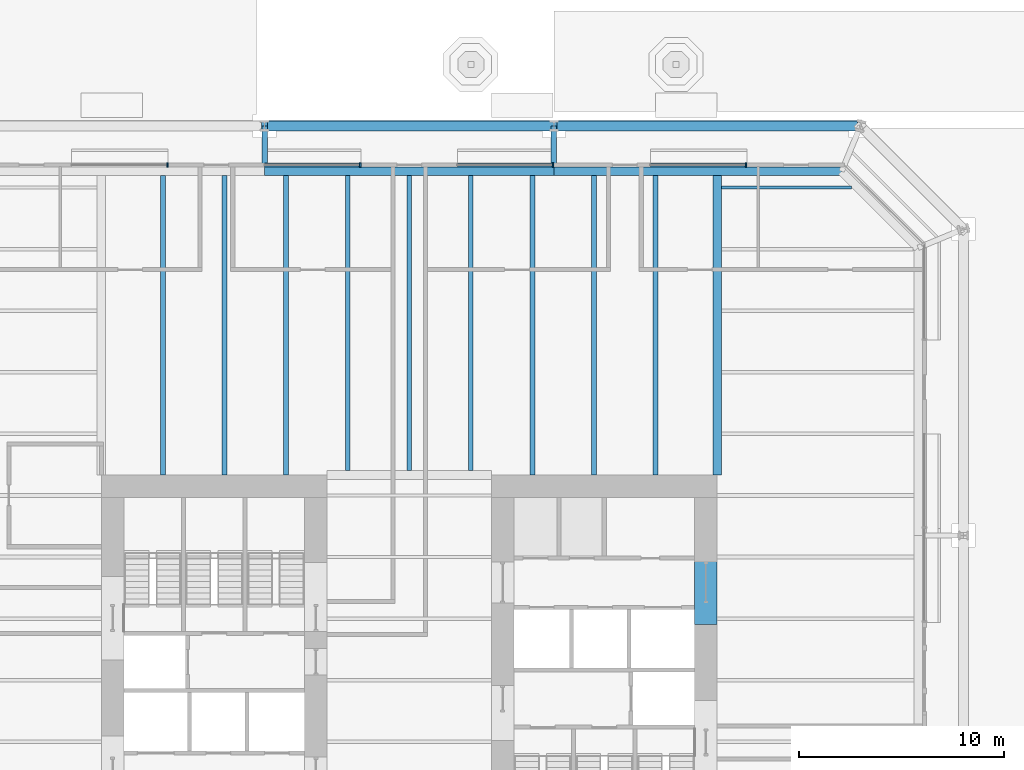
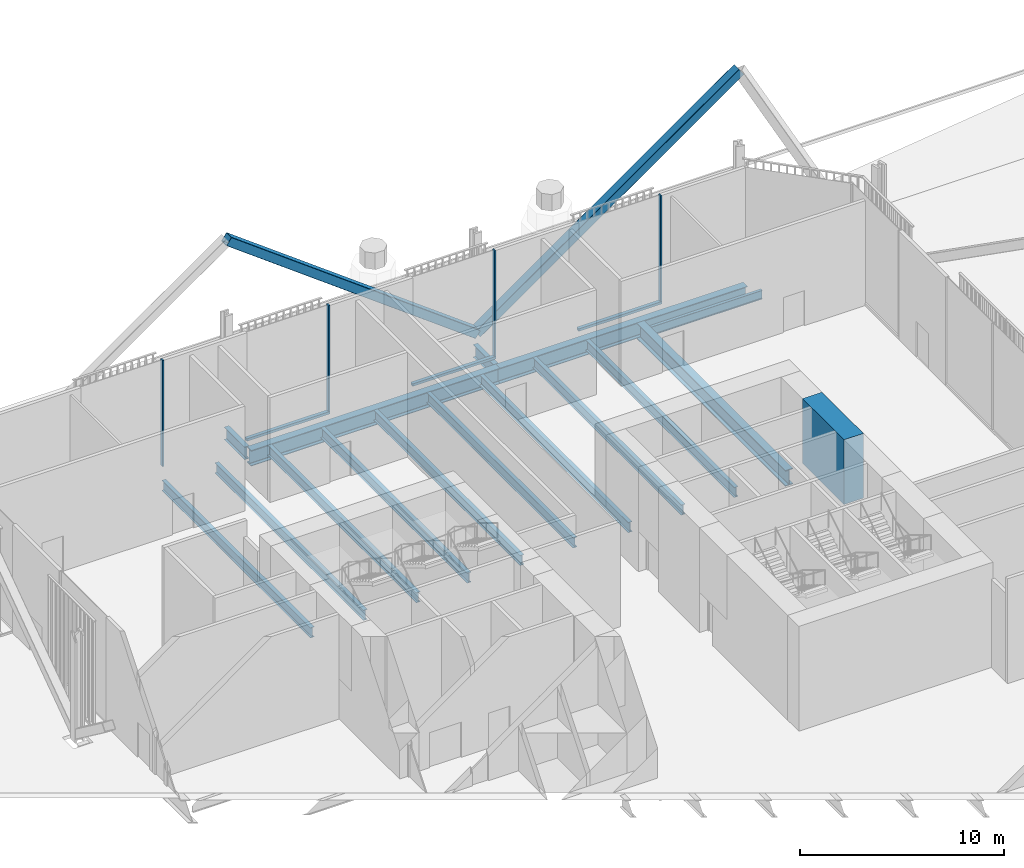
# One storey, part 10 of 28: 16 beams, 9 members, 1 element without a shape of its own.
"""IFC4 building model written with IfcOpenShell, lengths in metres."""

from ifc_helpers import new_model, si_unit, direction, frame, origin, origin_2d, place, context, subcontext, project, spatial, rectangle, hollow_rectangle, i_section, extrude, material, layer, layer_set, material_profile, profile_set, type_object, element, aggregate, save


model = new_model("IFC4")

# Units and contexts
model_context = context("Model", 3, precision=1e-05, world=origin(), true_north=direction((0.0, 1.0)))
body_context = subcontext(model_context, "Body", "Model", "MODEL_VIEW")
ifc_project = project(units=[si_unit("LENGTHUNIT", "METRE"), si_unit("AREAUNIT", "SQUARE_METRE"), si_unit("VOLUMEUNIT", "CUBIC_METRE"), si_unit("PLANEANGLEUNIT", "RADIAN"), si_unit("MASSUNIT", "GRAM", prefix="KILO")], contexts=[model_context])

# Site, building, storey
site_placement = place(None, origin())
site = spatial("IfcSite", under=ifc_project, at=site_placement, CompositionType="ELEMENT")
building_placement = place(site_placement, origin())
building = spatial("IfcBuilding", under=site, at=building_placement, Name="Millrace Tower", CompositionType="ELEMENT")
storey_placement = place(building_placement, origin())
storey = spatial("IfcBuildingStorey", under=building, at=storey_placement, Name="L01", CompositionType="ELEMENT", Elevation=0.0)

# Curtain wall, members
ifc_material_1 = material(Name="Aluminium and glass", Category="aluminium")
ifc_layer = layer(ifc_material_1, 0.199951171875)
ifc_layer_set = layer_set([ifc_layer], Name="Aluminium and glass")
curtain_wall_type = type_object("IfcCurtainWallType", Name="CW-6 lobby and cascade wing storefront", PredefinedType="NOTDEFINED", material=ifc_layer_set)
curtain_wall_placement = place(storey_placement, origin())
curtain_wall = element("IfcCurtainWall", 1, at=curtain_wall_placement, inside=storey, type_object=curtain_wall_type, Name="Curtain wall AW1-F04 L01", PredefinedType="NOTDEFINED")
ifc_material_2 = material(Name="Aluminium", Category="aluminium")
ifc_material_profile_1 = material_profile(ifc_material_2, rectangle(XDim=0.074951171875, YDim=0.199951171875, at=origin_2d()))
ifc_profile_set_1 = profile_set([ifc_material_profile_1], Name="Aluminium")
member_type_1 = type_object("IfcMemberType", Name="CW-6 lobby and cascade wing storefront mullion", PredefinedType="MULLION", material=ifc_profile_set_1)
member_1_placement = place(storey_placement, frame((16.41259765625, 25.10009765625, 0.14990234375), z_axis=(0.0, 0.0, 1.0), x_axis=(-1.0, 0.0, 0.0)))
member_1 = element("IfcMember", 2, at=member_1_placement, type_object=member_type_1, Name="CW6 mullion AW1-F04.2", PredefinedType="MULLION", context=body_context, shape_type="SweptSolid", body=[
    extrude(rectangle(XDim=0.074951171875, YDim=0.199951171875, at=origin_2d()), origin(), (0.0, 0.0, 1.0), 6.35009765625),
])
member_2_placement = place(storey_placement, frame((7.012451171875, 25.10009765625, 0.14990234375), z_axis=(0.0, 0.0, 1.0), x_axis=(-1.0, 0.0, 0.0)))
member_2 = element("IfcMember", 3, at=member_2_placement, type_object=member_type_1, Name="CW6 mullion AW1-F04.4", PredefinedType="MULLION", context=body_context, shape_type="SweptSolid", body=[
    extrude(rectangle(XDim=0.074951171875, YDim=0.199951171875, at=origin_2d()), origin(), (0.0, 0.0, 1.0), 6.35009765625),
])
member_3_placement = place(storey_placement, frame((-2.387451171875, 25.10009765625, 0.14990234375), z_axis=(0.0, 0.0, 1.0), x_axis=(-1.0, 0.0, 0.0)))
member_3 = element("IfcMember", 4, at=member_3_placement, type_object=member_type_1, Name="CW6 mullion AW1-F04.6", PredefinedType="MULLION", context=body_context, shape_type="SweptSolid", body=[
    extrude(rectangle(XDim=0.074951171875, YDim=0.199951171875, at=origin_2d()), origin(), (0.0, 0.0, 1.0), 6.35009765625),
])
member_4_placement = place(storey_placement, frame((-11.78759765625, 25.10009765625, 0.14990234375), z_axis=(0.0, 0.0, 1.0), x_axis=(-1.0, 0.0, 0.0)))
member_4 = element("IfcMember", 5, at=member_4_placement, type_object=member_type_1, Name="CW6 mullion AW1-F04.8", PredefinedType="MULLION", context=body_context, shape_type="SweptSolid", body=[
    extrude(rectangle(XDim=0.074951171875, YDim=0.199951171875, at=origin_2d()), origin(), (0.0, 0.0, 1.0), 6.35009765625),
])
ifc_material_3 = material(Name="Aluminium", Category="aluminium")
ifc_material_profile_2 = material_profile(ifc_material_3, rectangle(XDim=0.199951171875, YDim=0.14990234375, at=origin_2d()))
ifc_profile_set_2 = profile_set([ifc_material_profile_2], Name="Aluminium")
member_type_2 = type_object("IfcMemberType", Name="CW-6 lobby and cascade wing storefront transom", PredefinedType="USERDEFINED", material=ifc_profile_set_2)
member_5_placement = place(storey_placement, frame((16.449951171875, 25.10009765625, 0.074951171875), z_axis=(-1.0, 0.0, 0.0), x_axis=(0.0, -1.0, 0.0)))
member_5 = element("IfcMember", 6, at=member_5_placement, type_object=member_type_2, Name="CW6 transom AW1-F04.1", ObjectType="TRANSOM", PredefinedType="USERDEFINED", context=body_context, shape_type="SweptSolid", body=[
    extrude(rectangle(XDim=0.199951171875, YDim=0.14990234375, at=origin_2d()), origin(), (0.0, 0.0, 1.0), 4.699951171875),
])
member_6_placement = place(storey_placement, frame((7.050048828125, 25.10009765625, 0.074951171875), z_axis=(-1.0, 0.0, 0.0), x_axis=(0.0, -1.0, 0.0)))
member_6 = element("IfcMember", 7, at=member_6_placement, type_object=member_type_2, Name="CW6 transom AW1-F04.2", ObjectType="TRANSOM", PredefinedType="USERDEFINED", context=body_context, shape_type="SweptSolid", body=[
    extrude(rectangle(XDim=0.199951171875, YDim=0.14990234375, at=origin_2d()), origin(), (0.0, 0.0, 1.0), 4.699951171875),
])
member_7_placement = place(storey_placement, frame((-2.35009765625, 25.10009765625, 0.074951171875), z_axis=(-1.0, 0.0, 0.0), x_axis=(0.0, -1.0, 0.0)))
member_7 = element("IfcMember", 8, at=member_7_placement, type_object=member_type_2, Name="CW6 transom AW1-F04.3", ObjectType="TRANSOM", PredefinedType="USERDEFINED", context=body_context, shape_type="SweptSolid", body=[
    extrude(rectangle(XDim=0.199951171875, YDim=0.14990234375, at=origin_2d()), origin(), (0.0, 0.0, 1.0), 4.699951171875),
])
aggregate(curtain_wall, [member_1, member_2, member_3, member_4, member_5, member_6, member_7])

# Beam
ifc_material_4 = material(Name="Concrete C80", Category="concrete")
ifc_material_profile_3 = material_profile(ifc_material_4, rectangle(XDim=1.10009765625, YDim=3.875, at=origin_2d()))
ifc_profile_set_3 = profile_set([ifc_material_profile_3], Name="Concrete C80")
beam_type_1 = type_object("IfcBeamType", Name="Coupling beam 1100 x 3875 Concrete C80, 2000 opening", PredefinedType="BEAM", material=ifc_profile_set_3)
beam_1_placement = place(storey_placement, frame((14.449951171875, 6.784423828125, 4.33740234375), z_axis=(0.0, -1.0, 0.0), x_axis=(1.0, 0.0, 0.0)))
element("IfcBeam", 9, at=beam_1_placement, inside=storey, type_object=beam_type_1, Name="Coupling beam E L01", PredefinedType="BEAM", context=body_context, shape_type="SweptSolid", body=[
    extrude(rectangle(XDim=1.10009765625, YDim=3.875, at=origin_2d()), origin(), (0.0, 0.0, 1.0), 4.06884765625),
])

# Members
ifc_material_5 = material(Name="Steel ASTM A500 Grade C", Category="steel")
ifc_material_profile_4 = material_profile(ifc_material_5, hollow_rectangle(XDim=0.508056640625, YDim=0.508056640625, WallThickness=0.022216796875, InnerFilletRadius=0.01123046875, OuterFilletRadius=0.033447265625, at=origin_2d()))
ifc_profile_set_4 = profile_set([ifc_material_profile_4], Name="Steel ASTM A500 Grade C")
member_type_3 = type_object("IfcMemberType", Name="Exoskeleton brace HSS20x20x7/8", PredefinedType="BRACE", material=ifc_profile_set_4)
member_8_placement = place(storey_placement, frame((7.050048828125, 27.0, 0.39990234375), z_axis=(0.817940936421, 0.0, 0.575302202783), x_axis=(0.0, 1.0, 0.0)))
element("IfcMember", 10, at=member_8_placement, inside=storey, type_object=member_type_3, Name="BRC-A-L01-10", PredefinedType="BRACE", context=body_context, shape_type="SweptSolid", body=[
    extrude(hollow_rectangle(XDim=0.508056640625, YDim=0.508056640625, WallThickness=0.022216796875, InnerFilletRadius=0.01123046875, OuterFilletRadius=0.033447265625, at=origin_2d()), origin(), (0.0, 0.0, 1.0), 18.251220703125),
])
member_9_placement = place(storey_placement, frame((7.050048828125, 27.0, 0.39990234375), z_axis=(-0.80204509192, 0.0, 0.597263485011), x_axis=(0.0, -1.0, 0.0)))
element("IfcMember", 11, at=member_9_placement, inside=storey, type_object=member_type_3, Name="BRC-A-L01-11", PredefinedType="BRACE", context=body_context, shape_type="SweptSolid", body=[
    extrude(hollow_rectangle(XDim=0.508056640625, YDim=0.508056640625, WallThickness=0.022216796875, InnerFilletRadius=0.01123046875, OuterFilletRadius=0.033447265625, at=origin_2d()), origin(), (0.0, 0.0, 1.0), 17.580078125),
])

# Beams
ifc_material_6 = material(Name="Steel ASTM A992 Grade 50", Category="steel")
ifc_material_profile_5 = material_profile(ifc_material_6, i_section(OverallWidth=0.1650390625, OverallDepth=0.52587890625, WebThickness=0.0087890625, FlangeThickness=0.011474609375, FilletRadius=0.0126953125, at=origin_2d()))
ifc_profile_set_5 = profile_set([ifc_material_profile_5], Name="Steel ASTM A992 Grade 50")
beam_type_2 = type_object("IfcBeamType", Name="Floor beam W21x44", PredefinedType="JOIST", material=ifc_profile_set_5)
beam_2_placement = place(storey_placement, frame((15.212158203125, 24.0, -0.56298828125), z_axis=(1.0, 0.0, 0.0), x_axis=(0.0, 1.0, 0.0)))
element("IfcBeam", 12, at=beam_2_placement, inside=storey, type_object=beam_type_2, Name="BM-A-L01-S1-S041", PredefinedType="JOIST", context=body_context, shape_type="SweptSolid", body=[
    extrude(i_section(OverallWidth=0.1650390625, OverallDepth=0.52587890625, WebThickness=0.0087890625, FlangeThickness=0.011474609375, FilletRadius=0.0126953125, at=origin_2d()), origin(), (0.0, 0.0, 1.0), 6.321533203125),
])
ifc_material_7 = material(Name="Steel ASTM A992 Grade 50", Category="steel")
ifc_material_profile_6 = material_profile(ifc_material_7, i_section(OverallWidth=0.228271484375, OverallDepth=0.607177734375, WebThickness=0.01123046875, FlangeThickness=0.017333984375, FilletRadius=0.0126953125, at=origin_2d()))
ifc_profile_set_6 = profile_set([ifc_material_profile_6], Name="Steel ASTM A992 Grade 50")
beam_type_3 = type_object("IfcBeamType", Name="Floor beam W24x76", PredefinedType="JOIST", material=ifc_profile_set_6)
for number, where, z_axis, x_axis, name in (
    (13, (-12.0, 10.0, -0.603515625), (0.0, 1.0, 0.0), (-1.0, 0.0, 0.0), "BM-A-L01-S1-S042"),
    (14, (-9.0, 10.0, -0.603515625), (0.0, 1.0, 0.0), (-1.0, 0.0, 0.0), "BM-A-L01-S1-S044"),
    (15, (-6.0, 10.0, -0.603515625), (0.0, 1.0, 0.0), (-1.0, 0.0, 0.0), "BM-A-L01-S1-S046"),
):
    element("IfcBeam", number, at=place(storey_placement, frame(where, z_axis=z_axis, x_axis=x_axis)), inside=storey, type_object=beam_type_3, Name=name, PredefinedType="JOIST", context=body_context, shape_type="SweptSolid", body=[
        extrude(i_section(OverallWidth=0.228271484375, OverallDepth=0.607177734375, WebThickness=0.01123046875, FlangeThickness=0.017333984375, FilletRadius=0.0126953125, at=origin_2d()), origin(), (0.0, 0.0, 1.0), 14.578369140625),
    ])
for number, where, z_axis, x_axis, name in (
    (16, (-3.0, 10.212158203125, -0.603515625), (0.0, 1.0, 0.0), (-1.0, 0.0, 0.0), "BM-A-L01-S1-S048"),
    (17, (0.0, 10.212158203125, -0.603515625), (0.0, 1.0, 0.0), (-1.0, 0.0, 0.0), "BM-A-L01-S1-S050"),
    (18, (3.0, 10.212158203125, -0.603515625), (0.0, 1.0, 0.0), (-1.0, 0.0, 0.0), "BM-A-L01-S1-S052"),
):
    element("IfcBeam", number, at=place(storey_placement, frame(where, z_axis=z_axis, x_axis=x_axis)), inside=storey, type_object=beam_type_3, Name=name, PredefinedType="JOIST", context=body_context, shape_type="SweptSolid", body=[
        extrude(i_section(OverallWidth=0.228271484375, OverallDepth=0.607177734375, WebThickness=0.01123046875, FlangeThickness=0.017333984375, FilletRadius=0.0126953125, at=origin_2d()), origin(), (0.0, 0.0, 1.0), 14.3662109375),
    ])
for number, where, z_axis, x_axis, name in (
    (19, (6.0, 10.0, -0.603515625), (0.0, 1.0, 0.0), (-1.0, 0.0, 0.0), "BM-A-L01-S1-S054"),
    (20, (9.0, 10.0, -0.603515625), (0.0, 1.0, 0.0), (-1.0, 0.0, 0.0), "BM-A-L01-S1-S056"),
    (21, (12.0, 10.0, -0.603515625), (0.0, 1.0, 0.0), (-1.0, 0.0, 0.0), "BM-A-L01-S1-S058"),
):
    element("IfcBeam", number, at=place(storey_placement, frame(where, z_axis=z_axis, x_axis=x_axis)), inside=storey, type_object=beam_type_3, Name=name, PredefinedType="JOIST", context=body_context, shape_type="SweptSolid", body=[
        extrude(i_section(OverallWidth=0.228271484375, OverallDepth=0.607177734375, WebThickness=0.01123046875, FlangeThickness=0.017333984375, FilletRadius=0.0126953125, at=origin_2d()), origin(), (0.0, 0.0, 1.0), 14.578369140625),
    ])
ifc_material_8 = material(Name="Steel ASTM A992 Grade 50", Category="steel")
ifc_material_profile_7 = material_profile(ifc_material_8, i_section(OverallWidth=0.424072265625, OverallDepth=0.947509765625, WebThickness=0.02392578125, FlangeThickness=0.042724609375, FilletRadius=0.024169921875, at=origin_2d()))
ifc_profile_set_7 = profile_set([ifc_material_profile_7], Name="Steel ASTM A992 Grade 50")
beam_type_4 = type_object("IfcBeamType", Name="Girder medium span W36x302", PredefinedType="BEAM", material=ifc_profile_set_7)
beam_3_placement = place(storey_placement, frame((15.0, 10.0, -0.773681640625), z_axis=(0.0, 1.0, 0.0), x_axis=(-1.0, 0.0, 0.0)))
element("IfcBeam", 22, at=beam_3_placement, inside=storey, type_object=beam_type_4, Name="BM-A-L01-S1-G062", PredefinedType="BEAM", context=body_context, shape_type="SweptSolid", body=[
    extrude(i_section(OverallWidth=0.424072265625, OverallDepth=0.947509765625, WebThickness=0.02392578125, FlangeThickness=0.042724609375, FilletRadius=0.024169921875, at=origin_2d()), origin(), (0.0, 0.0, 1.0), 14.578369140625),
])
ifc_material_9 = material(Name="Steel ASTM A992 Grade 50", Category="steel")
ifc_material_profile_8 = material_profile(ifc_material_9, i_section(OverallWidth=0.2666015625, OverallDepth=0.7568359375, WebThickness=0.013916015625, FlangeThickness=0.019287109375, FilletRadius=0.0166015625, at=origin_2d()))
ifc_profile_set_8 = profile_set([ifc_material_profile_8], Name="Steel ASTM A992 Grade 50")
beam_type_5 = type_object("IfcBeamType", Name="Link beam W30x108", PredefinedType="BEAM", material=ifc_profile_set_8)
for number, where, z_axis, x_axis, name in (
    (23, (-7.050048828125, 25.0, -0.678466796875), (0.0, 1.0, 0.0), (-1.0, 0.0, 0.0), "LNK-A-L01-S1-06"),
    (24, (7.050048828125, 25.0, -0.678466796875), (0.0, 1.0, 0.0), (-1.0, 0.0, 0.0), "LNK-A-L01-S1-07"),
):
    element("IfcBeam", number, at=place(storey_placement, frame(where, z_axis=z_axis, x_axis=x_axis)), inside=storey, type_object=beam_type_5, Name=name, PredefinedType="BEAM", context=body_context, shape_type="SweptSolid", body=[
        extrude(i_section(OverallWidth=0.2666015625, OverallDepth=0.7568359375, WebThickness=0.013916015625, FlangeThickness=0.019287109375, FilletRadius=0.0166015625, at=origin_2d()), origin(), (0.0, 0.0, 1.0), 2.0),
    ])
ifc_material_10 = material(Name="Steel ASTM A992 Grade 50", Category="steel")
ifc_material_profile_9 = material_profile(ifc_material_10, i_section(OverallWidth=0.421630859375, OverallDepth=0.937255859375, WebThickness=0.021240234375, FlangeThickness=0.03662109375, FilletRadius=0.024169921875, at=origin_2d()))
ifc_profile_set_9 = profile_set([ifc_material_profile_9], Name="Steel ASTM A992 Grade 50")
beam_type_6 = type_object("IfcBeamType", Name="Ring beam medium span W36x262", PredefinedType="SPANDREL", material=ifc_profile_set_9)
beam_4_placement = place(storey_placement, frame((-7.050048828125, 24.7890625, -0.7685546875), z_axis=(1.0, 0.0, 0.0), x_axis=(0.0, 1.0, 0.0)))
element("IfcBeam", 25, at=beam_4_placement, inside=storey, type_object=beam_type_6, Name="RNG-A-L01-S1-06", PredefinedType="SPANDREL", context=body_context, shape_type="SweptSolid", body=[
    extrude(i_section(OverallWidth=0.421630859375, OverallDepth=0.937255859375, WebThickness=0.021240234375, FlangeThickness=0.03662109375, FilletRadius=0.024169921875, at=origin_2d()), origin(), (0.0, 0.0, 1.0), 14.10009765625),
])
beam_5_placement = place(storey_placement, frame((7.050048828125, 24.7890625, -0.7685546875), z_axis=(1.0, 0.0, 0.0), x_axis=(0.0, 1.0, 0.0)))
element("IfcBeam", 26, at=beam_5_placement, inside=storey, type_object=beam_type_6, Name="RNG-A-L01-S1-07", PredefinedType="SPANDREL", context=body_context, shape_type="SweptSolid", body=[
    extrude(i_section(OverallWidth=0.421630859375, OverallDepth=0.937255859375, WebThickness=0.021240234375, FlangeThickness=0.03662109375, FilletRadius=0.024169921875, at=origin_2d()), origin(), (0.0, 0.0, 1.0), 14.0126953125),
])

save(model, "model.ifc")
